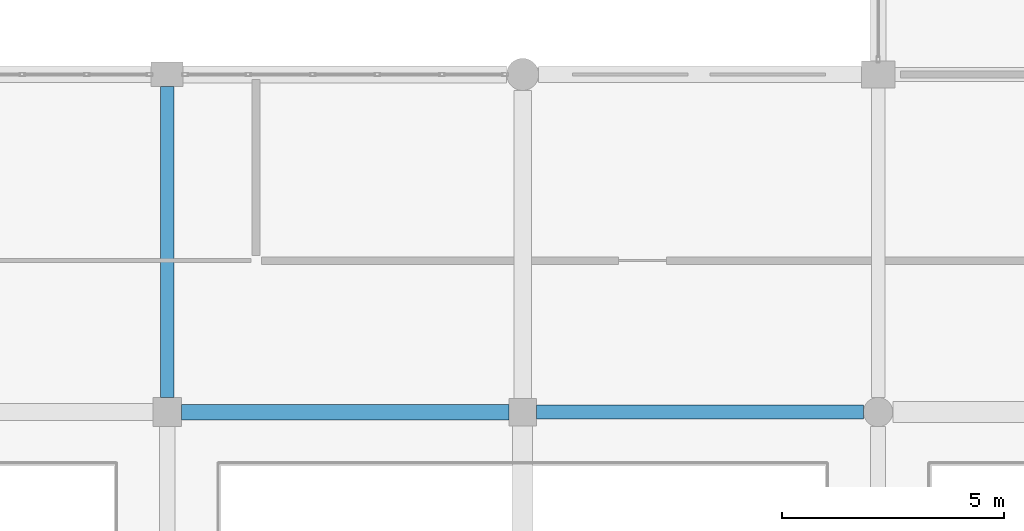
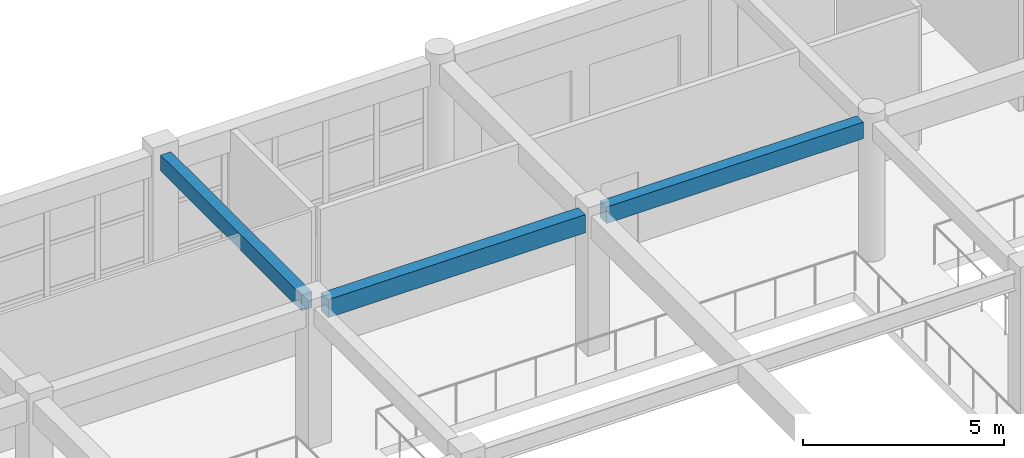
# One storey, part 43 of 160: 3 beams.
"""IFC4 building model written with IfcOpenShell, lengths in metres."""

import ifcopenshell
import ifcopenshell.guid

model = None  # the IFC model being written
_history = None  # IfcOwnerHistory: only IFC2X3 demands one
_inside = {}  # id of a spatial element -> (the spatial element, [elements in it])
_under = {}  # id of a project, library or spatial element -> (it, [spatial elements below it])
_declared = {}  # id of a project -> (the project, [libraries it declares])
_typed = {}  # id of a type object -> (the type object, [elements of that type])
_made_of = {}  # id of a material, layer set ... -> (it, [elements and type objects made of it])


def new_model(schema):
    """Start an empty IFC model of exactly this schema.

    Asked for "IFC4X3", IfcOpenShell would pick the latest addendum, in which some entities
    have other attributes; the version numbers below select the first issue.
    IFC2X3 requires an IfcOwnerHistory on every rooted entity: one is made here for all.
    """
    global model, _history
    if schema == "IFC4X3":
        model = ifcopenshell.file(schema_version=(4, 3, 0, 0))
    else:
        model = ifcopenshell.file(schema=schema)
    _inside.clear()
    _under.clear()
    _declared.clear()
    _typed.clear()
    _made_of.clear()
    _history = None
    if model.schema == "IFC2X3":
        org = make("IfcOrganization", Name="unknown")
        user = make(
            "IfcPersonAndOrganization",
            ThePerson=make("IfcPerson", FamilyName="unknown"),
            TheOrganization=org,
        )
        app = make(
            "IfcApplication",
            ApplicationDeveloper=org,
            Version="unknown",
            ApplicationFullName="unknown",
            ApplicationIdentifier="unknown",
        )
        _history = make(
            "IfcOwnerHistory",
            OwningUser=user,
            OwningApplication=app,
            ChangeAction="ADDED",
            CreationDate=0,
        )
    return model


def make(cls, **values):
    """One entity of the class cls with the attributes given. An attribute that is None is left unset."""
    return model.create_entity(
        cls, **{name: value for name, value in values.items() if value is not None}
    )


def rooted(cls, **values):
    """An entity with a GlobalId (a new one), such as an element, a storey or a relation."""
    return make(cls, GlobalId=ifcopenshell.guid.new(), OwnerHistory=_history, **values)


def si_unit(unit_type, name, prefix=None):
    """IfcSIUnit, for example si_unit("LENGTHUNIT", "METRE", prefix="MILLI")."""
    return make("IfcSIUnit", UnitType=unit_type, Prefix=prefix, Name=name)


def assignment(units):
    """IfcUnitAssignment: the units of a project."""
    return None if units is None else make("IfcUnitAssignment", Units=units)


def point(xyz):
    """IfcCartesianPoint."""
    return None if xyz is None else make("IfcCartesianPoint", Coordinates=xyz)


def direction(xyz):
    """IfcDirection."""
    return None if xyz is None else make("IfcDirection", DirectionRatios=xyz)


def frame(location, z_axis=None, x_axis=None):
    """IfcAxis2Placement3D, a coordinate frame: its origin and axes. An axis left out is left unset."""
    return make(
        "IfcAxis2Placement3D",
        Location=point(location),
        Axis=direction(z_axis),
        RefDirection=direction(x_axis),
    )


def frame_2d(location, x_axis=None):
    """IfcAxis2Placement2D, a coordinate frame in the plane: its origin and x axis."""
    return make(
        "IfcAxis2Placement2D", Location=point(location), RefDirection=direction(x_axis)
    )


def origin():
    """The frame at (0, 0, 0) with its axes left unset."""
    return frame((0.0, 0.0, 0.0))


def origin_2d():
    """The frame at (0, 0) in the plane with its x axis left unset."""
    return frame_2d((0.0, 0.0))


def place(relative_to, where):
    """IfcLocalPlacement: puts the frame where relative to a parent placement (None: the world)."""
    return make(
        "IfcLocalPlacement", PlacementRelTo=relative_to, RelativePlacement=where
    )


def context(
    kind, dimensions, precision=None, world=None, true_north=None, identifier=None
):
    """IfcGeometricRepresentationContext, for example the 3D "Model" context."""
    return make(
        "IfcGeometricRepresentationContext",
        ContextIdentifier=identifier,
        ContextType=kind,
        CoordinateSpaceDimension=dimensions,
        Precision=precision,
        WorldCoordinateSystem=world,
        TrueNorth=true_north,
    )


def subcontext(parent, identifier, kind, view, scale=None):
    """IfcGeometricRepresentationSubContext, for example "Body" below "Model"."""
    return make(
        "IfcGeometricRepresentationSubContext",
        ContextIdentifier=identifier,
        ContextType=kind,
        ParentContext=parent,
        TargetScale=scale,
        TargetView=view,
    )


def project(units=None, contexts=None):
    """IfcProject with its units and contexts."""
    return rooted(
        "IfcProject",
        Name="project",
        RepresentationContexts=contexts,
        UnitsInContext=assignment(units),
    )


def spatial(cls, under=None, at=None, **own):
    """A site, building, storey or space (cls), placed at a placement, below another one or the project."""
    s = rooted(cls, ObjectPlacement=at, **own)
    if under is not None:
        _under.setdefault(under.id(), (under, []))[1].append(s)
    return s


def profile(cls, at=None, kind="AREA", **sizes):
    """A parametric profile (cls). Its sizes go by their IFC names, for example OverallWidth=200.0."""
    return make(cls, ProfileType=kind, Position=at, **sizes)


def rectangle(**sizes):
    """IfcRectangleProfileDef."""
    return profile("IfcRectangleProfileDef", **sizes)


def extrude(swept, where, along, depth):
    """IfcExtrudedAreaSolid: the profile swept, set in the frame where, extruded along a direction by depth."""
    return make(
        "IfcExtrudedAreaSolid",
        SweptArea=swept,
        Position=where,
        ExtrudedDirection=direction(along),
        Depth=depth,
    )


def shape(context_of_items, identifier, shape_type, items):
    """IfcShapeRepresentation: the items that make up one representation, for example the "Body"."""
    return make(
        "IfcShapeRepresentation",
        ContextOfItems=context_of_items,
        RepresentationIdentifier=identifier,
        RepresentationType=shape_type,
        Items=items,
    )


def material(Name=None, Category=None):
    """IfcMaterial."""
    return make("IfcMaterial", Name=Name, Category=Category)


def material_profile(
    of_material, cross_section, Name=None, Category=None, Priority=None
):
    """IfcMaterialProfile: a cross section and its material."""
    return make(
        "IfcMaterialProfile",
        Name=Name,
        Material=of_material,
        Profile=cross_section,
        Priority=Priority,
        Category=Category,
    )


def profile_set(profiles, Name=None, composite=None):
    """IfcMaterialProfileSet."""
    return make(
        "IfcMaterialProfileSet",
        Name=Name,
        MaterialProfiles=profiles,
        CompositeProfile=composite,
    )


def made_of(thing, what):
    """Note that an element or type object is made of a material, layer set ...; save() writes the relation."""
    if what is not None:
        _made_of.setdefault(what.id(), (what, []))[1].append(thing)
    return thing


def type_object(cls, material=None, **own):
    """A type object (cls), such as IfcWallType, which elements share."""
    return made_of(rooted(cls, **own), material)


def element(
    cls,
    number,
    at=None,
    inside=None,
    cuts=None,
    type_object=None,
    material=None,
    context=None,
    identifier="Body",
    shape_type=None,
    held_by="IfcProductDefinitionShape",
    body=None,
    shapes=None,
    **own,
):
    """One element of the class cls, such as IfcWall. Its Tag is "e" and its number.

    at: its placement. inside: the storey or other place that contains it. cuts: it is an
    opening in that element (IfcRelVoidsElement). A single representation is given by context,
    identifier, shape_type and body (its items); several are given by shapes. held_by: the class
    of the entity that holds the representations. save() writes the other relations.
    """
    e = rooted(cls, Tag="e%d" % number, ObjectPlacement=at, **own)
    if body is not None:
        shapes = [shape(context, identifier, shape_type, body)]
    if shapes is not None:
        e.Representation = make(held_by, Representations=shapes)
    if inside is not None:
        _inside.setdefault(inside.id(), (inside, []))[1].append(e)
    if cuts is not None:
        rooted(
            "IfcRelVoidsElement", RelatingBuildingElement=cuts, RelatedOpeningElement=e
        )
    if type_object is not None:
        _typed.setdefault(type_object.id(), (type_object, []))[1].append(e)
    return made_of(e, material)


def aggregate(whole, parts):
    """IfcRelAggregates: a whole, such as a stair, and the parts it consists of."""
    return rooted("IfcRelAggregates", RelatingObject=whole, RelatedObjects=parts)


def save(model, path):
    """Write the relations noted so far, then the file.

    IfcRelAggregates (storeys below a building ...), IfcRelContainedInSpatialStructure (elements
    in a storey), IfcRelDefinesByType, IfcRelAssociatesMaterial and IfcRelDeclares: one each for
    every whole, place, type object, material and project.
    """
    for whole, parts in _under.values():
        aggregate(whole, parts)
    for where, things in _inside.values():
        rooted(
            "IfcRelContainedInSpatialStructure",
            RelatedElements=things,
            RelatingStructure=where,
        )
    for kind, things in _typed.values():
        rooted("IfcRelDefinesByType", RelatedObjects=things, RelatingType=kind)
    for what, things in _made_of.values():
        rooted("IfcRelAssociatesMaterial", RelatedObjects=things, RelatingMaterial=what)
    for by, libraries in _declared.values():
        rooted("IfcRelDeclares", RelatingContext=by, RelatedDefinitions=libraries)
    model.write(path)


model = new_model("IFC4")

# Units and contexts
model_context = context("Model", 3, precision=1e-05, world=origin(), true_north=direction((0.0, 1.0)))
body_context = subcontext(model_context, "Body", "Model", "MODEL_VIEW")
ifc_project = project(units=[si_unit("LENGTHUNIT", "METRE"), si_unit("AREAUNIT", "SQUARE_METRE"), si_unit("VOLUMEUNIT", "CUBIC_METRE"), si_unit("PLANEANGLEUNIT", "RADIAN"), si_unit("MASSUNIT", "GRAM", prefix="KILO")], contexts=[model_context])

# Site, building, storey
site_placement = place(None, origin())
site = spatial("IfcSite", under=ifc_project, at=site_placement, CompositionType="ELEMENT")
building_placement = place(site_placement, origin())
building = spatial("IfcBuilding", under=site, at=building_placement, Name="Kharva Crest Polytechnic", CompositionType="ELEMENT")
storey_placement = place(building_placement, frame((0.0, 0.0, 4.5)))
storey = spatial("IfcBuildingStorey", under=building, at=storey_placement, Name="L01", CompositionType="ELEMENT", Elevation=4.5)

# Beams
ifc_material = material(Name="Concrete C35/45", Category="concrete")
ifc_material_profile_1 = material_profile(ifc_material, rectangle(XDim=0.300048828125, YDim=0.47998046875, at=origin_2d()), Name="RECT 300 X 480")
ifc_profile_set_1 = profile_set([ifc_material_profile_1], Name="Concrete C35/45")
beam_type_1 = type_object("IfcBeamType", Name="BM-RC-300X480", PredefinedType="BEAM", material=ifc_profile_set_1)
beam_1_placement = place(storey_placement, frame((16.0, 23.125, 3.97998046875), z_axis=(0.0, 1.0, 0.0), x_axis=(-1.0, 0.0, 0.0)))
element("IfcBeam", 1, at=beam_1_placement, inside=storey, type_object=beam_type_1, Name="L01 Girder 3/D-E", PredefinedType="BEAM", context=body_context, shape_type="SweptSolid", body=[
    extrude(rectangle(XDim=0.300048828125, YDim=0.47998046875, at=origin_2d()), origin(), (0.0, 0.0, 1.0), 7.0),
])
ifc_material_profile_2 = material_profile(ifc_material, rectangle(XDim=0.320068359375, YDim=0.5, at=origin_2d()), Name="RECT 320 X 500")
ifc_profile_set_2 = profile_set([ifc_material_profile_2], Name="Concrete C35/45")
beam_type_2 = type_object("IfcBeamType", Name="BM-RC-320X500", PredefinedType="BEAM", material=ifc_profile_set_2)
beam_2_placement = place(storey_placement, frame((24.31005859375, 22.800048828125, 3.969970703125), z_axis=(1.0, 0.0, 0.0), x_axis=(0.0, 1.0, 0.0)))
element("IfcBeam", 2, at=beam_2_placement, inside=storey, type_object=beam_type_2, Name="L01 Beam D/4-5", PredefinedType="BEAM", context=body_context, shape_type="SweptSolid", body=[
    extrude(rectangle(XDim=0.320068359375, YDim=0.5, at=origin_2d()), origin(), (0.0, 0.0, 1.0), 7.35986328125),
])
ifc_material_profile_3 = material_profile(ifc_material, rectangle(XDim=0.35009765625, YDim=0.550048828125, at=origin_2d()), Name="RECT 350 X 550")
ifc_profile_set_3 = profile_set([ifc_material_profile_3], Name="Concrete C35/45")
beam_type_3 = type_object("IfcBeamType", Name="BM-RC-350X550", PredefinedType="BEAM", material=ifc_profile_set_3)
beam_3_placement = place(storey_placement, frame((16.324951171875, 22.800048828125, 3.945068359375), z_axis=(1.0, 0.0, 0.0), x_axis=(0.0, 1.0, 0.0)))
element("IfcBeam", 3, at=beam_3_placement, inside=storey, type_object=beam_type_3, Name="L01 Beam D/3-4", PredefinedType="BEAM", context=body_context, shape_type="SweptSolid", body=[
    extrude(rectangle(XDim=0.35009765625, YDim=0.550048828125, at=origin_2d()), origin(), (0.0, 0.0, 1.0), 7.364990234375),
])

save(model, "model.ifc")
